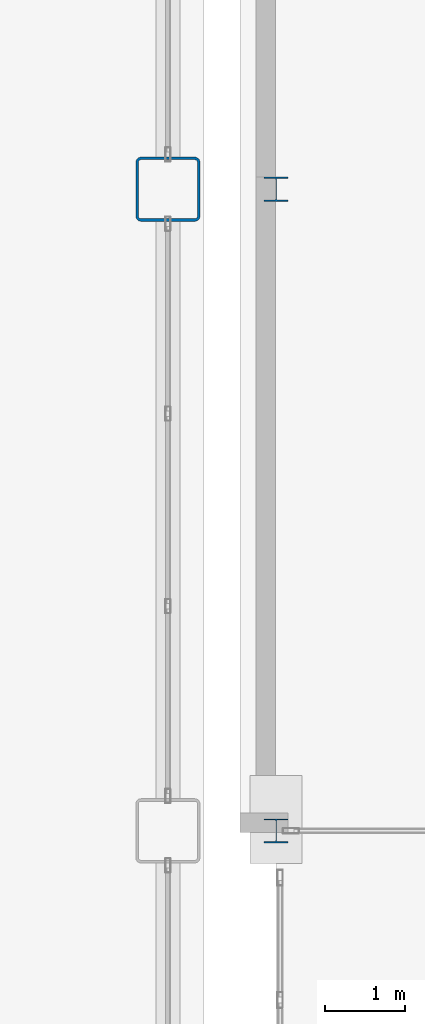
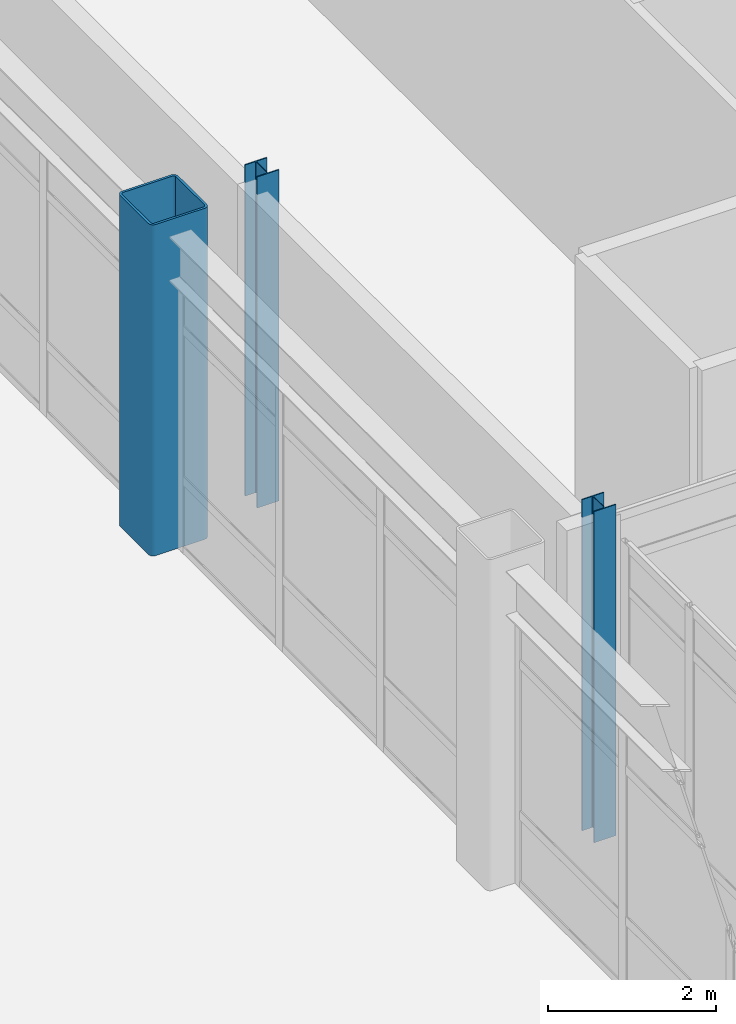
# One storey, part 7 of 154: 3 columns.
"""IFC4 building model written with IfcOpenShell, lengths in metres."""

from ifc_helpers import new_model, si_unit, direction, frame, origin, origin_2d, place, context, subcontext, project, spatial, hollow_rectangle, i_section, extrude, material, material_profile, profile_set, type_object, element, save


model = new_model("IFC4")

# Units and contexts
model_context = context("Model", 3, precision=1e-05, world=origin(), true_north=direction((0.0, 1.0)))
body_context = subcontext(model_context, "Body", "Model", "MODEL_VIEW")
ifc_project = project(units=[si_unit("LENGTHUNIT", "METRE"), si_unit("AREAUNIT", "SQUARE_METRE"), si_unit("VOLUMEUNIT", "CUBIC_METRE"), si_unit("PLANEANGLEUNIT", "RADIAN"), si_unit("MASSUNIT", "GRAM", prefix="KILO")], contexts=[model_context])

# Site, building, storey
site_placement = place(None, origin())
site = spatial("IfcSite", under=ifc_project, at=site_placement, CompositionType="ELEMENT")
building_placement = place(site_placement, origin())
building = spatial("IfcBuilding", under=site, at=building_placement, Name="Kazehara Bluff Congress Hotel", CompositionType="ELEMENT")
storey_placement = place(building_placement, frame((0.0, 0.0, 10.199951171875)))
storey = spatial("IfcBuildingStorey", under=building, at=storey_placement, Name="L02", CompositionType="ELEMENT", Elevation=10.199951171875)

# Columns
ifc_material_1 = material(Name="Steel BCR295", Category="steel")
ifc_material_profile_1 = material_profile(ifc_material_1, hollow_rectangle(XDim=0.800048828125, YDim=0.800048828125, WallThickness=0.031982421875, InnerFilletRadius=0.031982421875, OuterFilletRadius=0.06396484375, at=origin_2d()))
ifc_profile_set_1 = profile_set([ifc_material_profile_1], Name="Steel BCR295")
column_type_1 = type_object("IfcColumnType", Name="TP-C-02", PredefinedType="COLUMN", material=ifc_profile_set_1)
column_placement = place(storey_placement, frame((58.35009765625, 88.89990234375, 0.0), z_axis=(0.0, 0.0, 1.0), x_axis=(1.0, 0.0, 0.0)))
element("IfcColumn", 1, at=column_placement, inside=storey, type_object=column_type_1, Name="L02 column C-02 (58.35,88.90)", PredefinedType="COLUMN", context=body_context, shape_type="SweptSolid", body=[
    extrude(hollow_rectangle(XDim=0.800048828125, YDim=0.800048828125, WallThickness=0.031982421875, InnerFilletRadius=0.031982421875, OuterFilletRadius=0.06396484375, at=origin_2d()), origin(), (0.0, 0.0, 1.0), 4.800048828125),
])
ifc_material_2 = material(Name="Steel SN400B", Category="steel")
ifc_material_profile_2 = material_profile(ifc_material_2, i_section(OverallWidth=0.300048828125, OverallDepth=0.300048828125, WebThickness=0.010009765625, FlangeThickness=0.014892578125, FilletRadius=0.012939453125, at=origin_2d()))
ifc_profile_set_2 = profile_set([ifc_material_profile_2], Name="Steel SN400B")
column_type_2 = type_object("IfcColumnType", Name="TP-C-11", PredefinedType="COLUMN", material=ifc_profile_set_2)
for number, where, z_axis, x_axis, name in (
    (2, (59.699951171875, 80.89990234375, 0.0), (0.0, 0.0, 1.0), (1.0, 0.0, 0.0), "L02 column C-11 (59.70,80.90)"),
    (3, (59.699951171875, 88.89990234375, 0.0), (0.0, 0.0, 1.0), (1.0, 0.0, 0.0), "L02 column C-11 (59.70,88.90)"),
):
    element("IfcColumn", number, at=place(storey_placement, frame(where, z_axis=z_axis, x_axis=x_axis)), inside=storey, type_object=column_type_2, Name=name, PredefinedType="COLUMN", context=body_context, shape_type="SweptSolid", body=[
        extrude(i_section(OverallWidth=0.300048828125, OverallDepth=0.300048828125, WebThickness=0.010009765625, FlangeThickness=0.014892578125, FilletRadius=0.012939453125, at=origin_2d()), origin(), (0.0, 0.0, 1.0), 4.800048828125),
    ])

save(model, "model.ifc")
